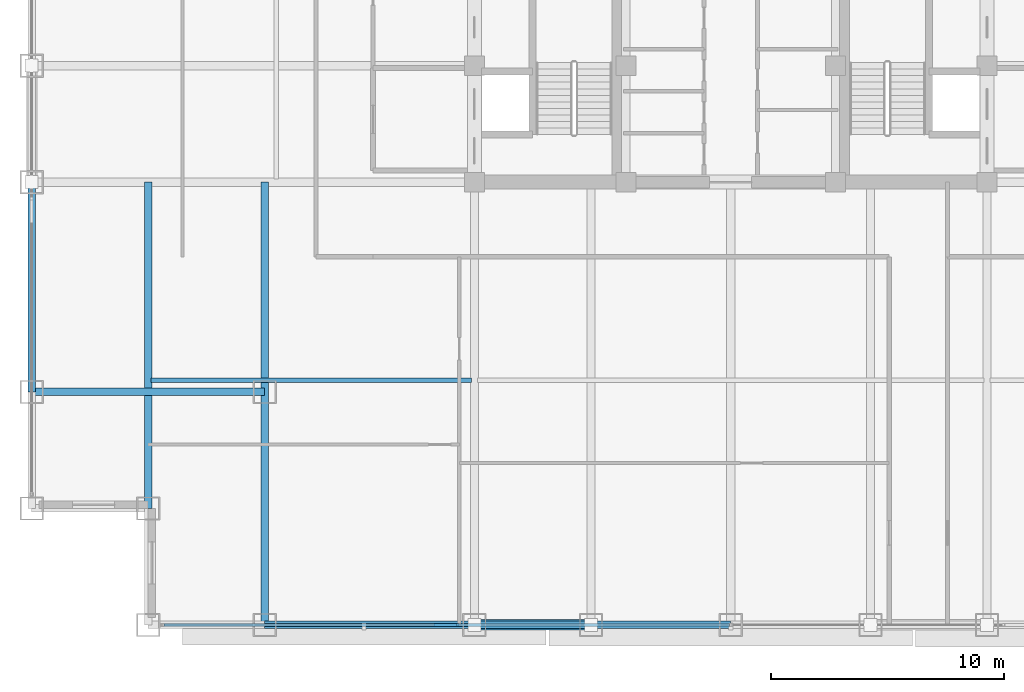
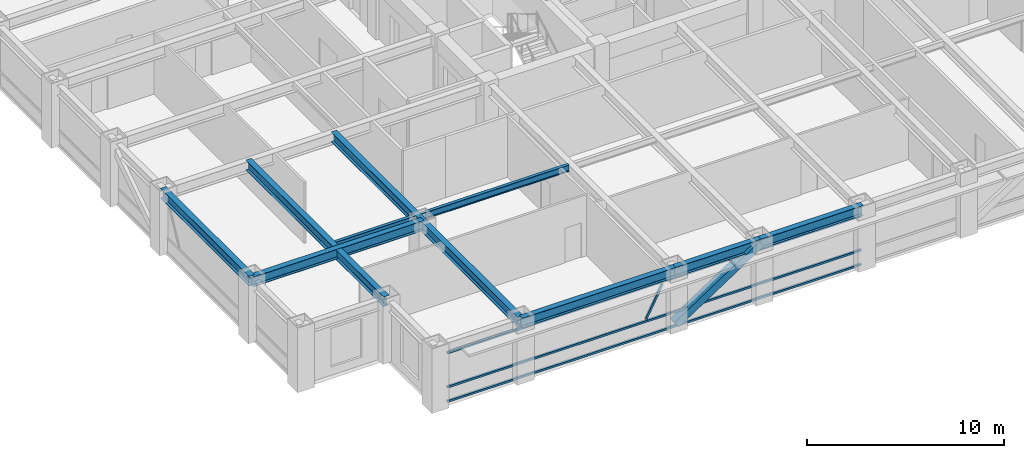
# One storey, part 3 of 29: 8 beams, 5 members, 1 element without a shape of its own.
"""IFC4 building model written with IfcOpenShell, lengths in metres."""

from ifc_helpers import new_model, si_unit, direction, frame, origin, origin_2d, place, context, subcontext, project, spatial, hollow_rectangle, i_section, extrude, source, transform, mapped, material, material_profile, profile_set, type_object, element, aggregate, save


model = new_model("IFC4")

# Units and contexts
model_context = context("Model", 3, precision=1e-05, world=origin(), true_north=direction((0.0, 1.0)))
body_context = subcontext(model_context, "Body", "Model", "MODEL_VIEW")
ifc_project = project(units=[si_unit("LENGTHUNIT", "METRE"), si_unit("AREAUNIT", "SQUARE_METRE"), si_unit("VOLUMEUNIT", "CUBIC_METRE"), si_unit("PLANEANGLEUNIT", "RADIAN"), si_unit("MASSUNIT", "GRAM", prefix="KILO")], contexts=[model_context])

# Site, building, storey
site_placement = place(None, origin())
site = spatial("IfcSite", under=ifc_project, at=site_placement, CompositionType="ELEMENT")
building_placement = place(site_placement, origin())
building = spatial("IfcBuilding", under=site, at=building_placement, Name="Khorayat Bourse Tower", CompositionType="ELEMENT")
storey_placement = place(building_placement, frame((0.0, 0.0, 239.10009765625)))
storey = spatial("IfcBuildingStorey", under=building, at=storey_placement, Name="L56", CompositionType="ELEMENT", Elevation=239.10009765625)

# Beams
ifc_material_1 = material(Name="Steel ASTM A992 Grade 50", Category="steel")
ifc_material_profile_1 = material_profile(ifc_material_1, i_section(OverallWidth=0.324951171875, OverallDepth=0.615966796875, WebThickness=0.013916015625, FlangeThickness=0.021484375, FilletRadius=0.01611328125, at=origin_2d()), Name="W610X174")
ifc_profile_set_1 = profile_set([ifc_material_profile_1], Name="Steel ASTM A992 Grade 50")
beam_type_1 = type_object("IfcBeamType", Name="BM-GIRD-610", PredefinedType="BEAM", material=ifc_profile_set_1)
shared_shape_1 = source(origin(), body_context, "Body", "SweptSolid", [
    extrude(i_section(OverallWidth=0.324951171875, OverallDepth=0.615966796875, WebThickness=0.013916015625, FlangeThickness=0.021484375, FilletRadius=0.01611328125, at=origin_2d()), origin(), (0.0, 0.0, 1.0), 19.0),
])
beam_1_placement = place(storey_placement, frame((-20.0, -30.0, 3.471923828125), z_axis=(0.0, 1.0, 0.0), x_axis=(-1.0, 0.0, 0.0)))
element("IfcBeam", 1, at=beam_1_placement, inside=storey, type_object=beam_type_1, Name="L56 BM-GIRD-610 BM-L56-CNRY-084", PredefinedType="BEAM", context=body_context, shape_type="MappedRepresentation", body=[
    mapped(shared_shape_1, transform((0.0, 0.0, 0.0), scale=1.0)),
])
shared_shape_2 = source(origin(), body_context, "Body", "SweptSolid", [
    extrude(i_section(OverallWidth=0.324951171875, OverallDepth=0.615966796875, WebThickness=0.013916015625, FlangeThickness=0.021484375, FilletRadius=0.01611328125, at=origin_2d()), origin(), (0.0, 0.0, 1.0), 10.0),
])
beam_2_placement = place(storey_placement, frame((-30.0, -20.0, 3.471923828125), z_axis=(1.0, 0.0, 0.0), x_axis=(0.0, 1.0, 0.0)))
element("IfcBeam", 2, at=beam_2_placement, inside=storey, type_object=beam_type_1, Name="L56 BM-GIRD-610 BM-L56-CNRX-093", PredefinedType="BEAM", context=body_context, shape_type="MappedRepresentation", body=[
    mapped(shared_shape_2, transform((0.0, 0.0, 0.0), scale=1.0)),
])
ifc_material_profile_2 = material_profile(ifc_material_1, i_section(OverallWidth=0.324951171875, OverallDepth=0.615966796875, WebThickness=0.013916015625, FlangeThickness=0.021484375, FilletRadius=0.01611328125, at=origin_2d()), Name="W610X174")
ifc_profile_set_2 = profile_set([ifc_material_profile_2], Name="Steel ASTM A992 Grade 50")
beam_type_2 = type_object("IfcBeamType", Name="BM-SPAN-610", PredefinedType="SPANDREL", material=ifc_profile_set_2)
shared_shape_3 = source(origin(), body_context, "Body", "SweptSolid", [
    extrude(i_section(OverallWidth=0.324951171875, OverallDepth=0.615966796875, WebThickness=0.013916015625, FlangeThickness=0.021484375, FilletRadius=0.01611328125, at=origin_2d()), origin(), (0.0, 0.0, 1.0), 9.0),
])
for number, where, z_axis, x_axis, name in (
    (3, (-20.0, -30.0, 3.471923828125), (1.0, 0.0, 0.0), (0.0, 1.0, 0.0), "L56 BM-SPAN-610 BM-L56-SPN-025"),
    (4, (-30.0, -20.0, 3.471923828125), (0.0, 1.0, 0.0), (-1.0, 0.0, 0.0), "L56 BM-SPAN-610 BM-L56-SPN-060"),
):
    element("IfcBeam", number, at=place(storey_placement, frame(where, z_axis=z_axis, x_axis=x_axis)), inside=storey, type_object=beam_type_2, Name=name, PredefinedType="SPANDREL", context=body_context, shape_type="MappedRepresentation", body=[
        mapped(shared_shape_3, transform((0.0, 0.0, 0.0), scale=1.0)),
    ])
shared_shape_4 = source(origin(), body_context, "Body", "SweptSolid", [
    extrude(i_section(OverallWidth=0.324951171875, OverallDepth=0.615966796875, WebThickness=0.013916015625, FlangeThickness=0.021484375, FilletRadius=0.01611328125, at=origin_2d()), origin(), (0.0, 0.0, 1.0), 5.0),
])
beam_3_placement = place(storey_placement, frame((-11.0, -30.0, 3.471923828125), z_axis=(1.0, 0.0, 0.0), x_axis=(0.0, 1.0, 0.0)))
element("IfcBeam", 5, at=beam_3_placement, inside=storey, type_object=beam_type_2, Name="L56 BM-SPAN-610 BM-L56-SPN-026", PredefinedType="SPANDREL", context=body_context, shape_type="MappedRepresentation", body=[
    mapped(shared_shape_4, transform((0.0, 0.0, 0.0), scale=1.0)),
])
shared_shape_5 = source(origin(), body_context, "Body", "SweptSolid", [
    extrude(i_section(OverallWidth=0.324951171875, OverallDepth=0.615966796875, WebThickness=0.013916015625, FlangeThickness=0.021484375, FilletRadius=0.01611328125, at=origin_2d()), origin(), (0.0, 0.0, 1.0), 6.0),
])
beam_4_placement = place(storey_placement, frame((-6.0, -30.0, 3.471923828125), z_axis=(1.0, 0.0, 0.0), x_axis=(0.0, 1.0, 0.0)))
element("IfcBeam", 6, at=beam_4_placement, inside=storey, type_object=beam_type_2, Name="L56 BM-SPAN-610 BM-L56-SPN-027", PredefinedType="SPANDREL", context=body_context, shape_type="MappedRepresentation", body=[
    mapped(shared_shape_5, transform((0.0, 0.0, 0.0), scale=1.0)),
])
shared_shape_6 = source(origin(), body_context, "Body", "SweptSolid", [
    extrude(i_section(OverallWidth=0.324951171875, OverallDepth=0.615966796875, WebThickness=0.013916015625, FlangeThickness=0.021484375, FilletRadius=0.01611328125, at=origin_2d()), origin(), (0.0, 0.0, 1.0), 14.0),
])
beam_5_placement = place(storey_placement, frame((-25.0, -25.0, 3.471923828125), z_axis=(0.0, 1.0, 0.0), x_axis=(-1.0, 0.0, 0.0)))
element("IfcBeam", 7, at=beam_5_placement, inside=storey, type_object=beam_type_1, Name="L56 BM-GIRD-610 BM-L56-CNRY-088", PredefinedType="BEAM", context=body_context, shape_type="MappedRepresentation", body=[
    mapped(shared_shape_6, transform((0.0, 0.0, 0.0), scale=1.0)),
])
ifc_material_profile_3 = material_profile(ifc_material_1, i_section(OverallWidth=0.180908203125, OverallDepth=0.4169921875, WebThickness=0.010986328125, FlangeThickness=0.018310546875, FilletRadius=0.011962890625, at=origin_2d()), Name="W410X85")
ifc_profile_set_3 = profile_set([ifc_material_profile_3], Name="Steel ASTM A992 Grade 50")
beam_type_3 = type_object("IfcBeamType", Name="BM-JOIST-410", PredefinedType="JOIST", material=ifc_profile_set_3)
shared_shape_7 = source(origin(), body_context, "Body", "SweptSolid", [
    extrude(i_section(OverallWidth=0.180908203125, OverallDepth=0.4169921875, WebThickness=0.010986328125, FlangeThickness=0.018310546875, FilletRadius=0.011962890625, at=origin_2d()), origin(), (0.0, 0.0, 1.0), 13.740234375),
])
beam_6_placement = place(storey_placement, frame((-24.8701171875, -19.5, 3.5712890625), z_axis=(1.0, 0.0, 0.0), x_axis=(0.0, 1.0, 0.0)))
element("IfcBeam", 8, at=beam_6_placement, inside=storey, type_object=beam_type_3, Name="L56 BM-JOIST-410 BM-L56-JSTX-096", PredefinedType="JOIST", context=body_context, shape_type="MappedRepresentation", body=[
    mapped(shared_shape_7, transform((0.0, 0.0, 0.0), scale=1.0)),
])

# Member
ifc_material_2 = material(Name="Steel EN 10025-4 S460M", Category="steel")
ifc_material_profile_4 = material_profile(ifc_material_2, hollow_rectangle(XDim=0.449951171875, YDim=0.449951171875, WallThickness=0.02490234375, at=origin_2d()), Name="HSS 450x450x25")
ifc_profile_set_4 = profile_set([ifc_material_profile_4], Name="Steel EN 10025-4 S460M")
member_type_1 = type_object("IfcMemberType", Name="MBR-TUBE-450", PredefinedType="BRACE", material=ifc_profile_set_4)
shared_shape_8 = source(origin(), body_context, "Body", "SweptSolid", [
    extrude(hollow_rectangle(XDim=0.449951171875, YDim=0.449951171875, WallThickness=0.02490234375, at=origin_2d()), origin(), (0.0, 0.0, 1.0), 5.979736328125),
])
member_1_placement = place(storey_placement, frame((-11.0, -30.0, 0.25), z_axis=(0.836160261256, 0.0, 0.548485202623), x_axis=(0.0, 1.0, 0.0)))
element("IfcMember", 9, at=member_1_placement, inside=storey, type_object=member_type_1, Name="L56 Perimeter Tube Brace 01", PredefinedType="BRACE", context=body_context, shape_type="MappedRepresentation", body=[
    mapped(shared_shape_8, transform((0.0, 0.0, 0.0), scale=1.0)),
])

# Curtain wall, members
ifc_material_3 = material(Name="Aluminium EN AW-6063 T6", Category="aluminium")
curtain_wall_type = type_object("IfcCurtainWallType", Name="CW-SYS-03", PredefinedType="NOTDEFINED", material=ifc_material_3)
curtain_wall_placement = place(storey_placement, origin())
curtain_wall = element("IfcCurtainWall", 10, at=curtain_wall_placement, inside=storey, type_object=curtain_wall_type, Name="L56 Curtain Wall CW-L56-S1", PredefinedType="NOTDEFINED")
ifc_material_profile_5 = material_profile(ifc_material_3, hollow_rectangle(XDim=0.1201171875, YDim=0.1201171875, WallThickness=0.0048828125, at=origin_2d()), Name="ALU 120x120x5")
ifc_profile_set_5 = profile_set([ifc_material_profile_5], Name="Aluminium EN AW-6063 T6")
member_type_2 = type_object("IfcMemberType", Name="CWM-DIAG-120", PredefinedType="MULLION", material=ifc_profile_set_5)
shared_shape_9 = source(origin(), body_context, "Body", "SweptSolid", [
    extrude(hollow_rectangle(XDim=0.1201171875, YDim=0.1201171875, WallThickness=0.0048828125, at=origin_2d()), origin(), (0.0, 0.0, 1.0), 2.079345703125),
])
member_2_placement = place(storey_placement, frame((-12.67919921875, -30.0, 1.08984375), z_axis=(0.465760949701, 0.0, 0.884910581773), x_axis=(0.0, 1.0, 0.0)))
member_2 = element("IfcMember", 11, at=member_2_placement, type_object=member_type_2, Name="CW-L56-S1 Faceted Diagonal Mullion 1", PredefinedType="MULLION", context=body_context, shape_type="MappedRepresentation", body=[
    mapped(shared_shape_9, transform((0.0, 0.0, 0.0), scale=1.0)),
])
ifc_material_profile_6 = material_profile(ifc_material_3, hollow_rectangle(XDim=0.1201171875, YDim=0.1201171875, WallThickness=0.0048828125, at=origin_2d()), Name="ALU 120x120x5")
ifc_profile_set_6 = profile_set([ifc_material_profile_6], Name="Aluminium EN AW-6063 T6")
member_type_3 = type_object("IfcMemberType", Name="CWT-HORZ-120", PredefinedType="USERDEFINED", material=ifc_profile_set_6)
shared_shape_10 = source(origin(), body_context, "Body", "SweptSolid", [
    extrude(hollow_rectangle(XDim=0.1201171875, YDim=0.1201171875, WallThickness=0.0048828125, at=origin_2d()), origin(), (0.0, 0.0, 1.0), 24.27001953125),
])
member_3_placement = place(storey_placement, frame((-24.330078125, -30.0, 0.059814453125), z_axis=(1.0, 0.0, 0.0), x_axis=(0.0, 1.0, 0.0)))
member_3 = element("IfcMember", 12, at=member_3_placement, type_object=member_type_3, Name="CW-L56-S1 Horizontal Transom 1-1", ObjectType="TRANSOM", PredefinedType="USERDEFINED", context=body_context, shape_type="MappedRepresentation", body=[
    mapped(shared_shape_10, transform((0.0, 0.0, 0.0), scale=1.0)),
])
member_4_placement = place(storey_placement, frame((-24.330078125, -30.0, 0.949951171875), z_axis=(1.0, 0.0, 0.0), x_axis=(0.0, 1.0, 0.0)))
member_4 = element("IfcMember", 13, at=member_4_placement, type_object=member_type_3, Name="CW-L56-S1 Horizontal Transom 1-2", ObjectType="TRANSOM", PredefinedType="USERDEFINED", context=body_context, shape_type="MappedRepresentation", body=[
    mapped(shared_shape_10, transform((0.0, 0.0, 0.0), scale=1.0)),
])
member_5_placement = place(storey_placement, frame((-24.330078125, -30.0, 3.06982421875), z_axis=(1.0, 0.0, 0.0), x_axis=(0.0, 1.0, 0.0)))
member_5 = element("IfcMember", 14, at=member_5_placement, type_object=member_type_3, Name="CW-L56-S1 Horizontal Transom 1-3", ObjectType="TRANSOM", PredefinedType="USERDEFINED", context=body_context, shape_type="MappedRepresentation", body=[
    mapped(shared_shape_10, transform((0.0, 0.0, 0.0), scale=1.0)),
])
aggregate(curtain_wall, [member_3, member_4, member_5, member_2])

save(model, "model.ifc")
